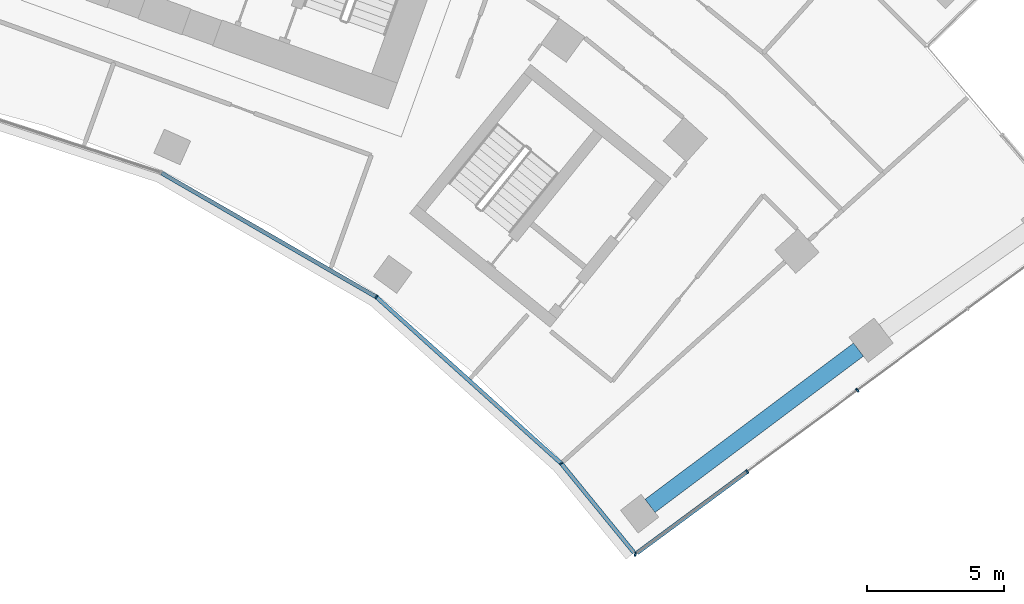
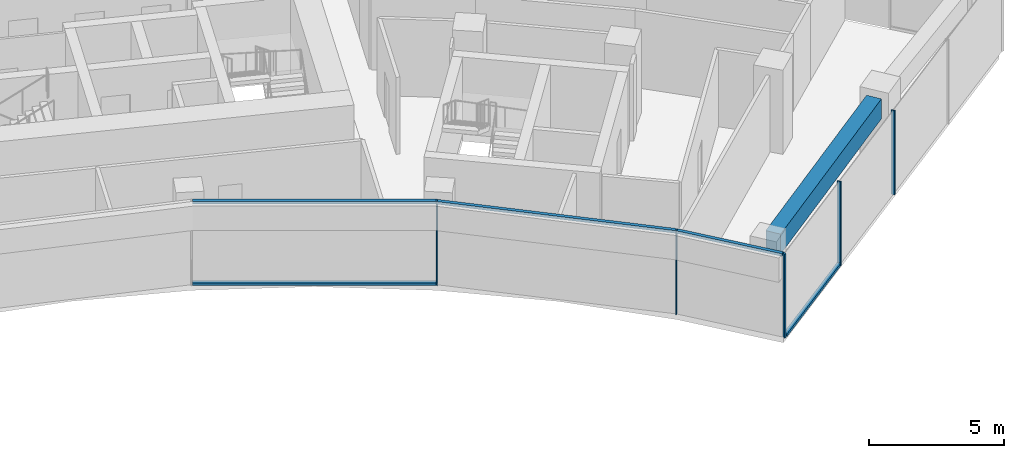
# One storey, part 8 of 19: 10 members, 1 beam, 2 elements without a shape of their own.
"""IFC4 building model written with IfcOpenShell, lengths in metres."""

from ifc_helpers import new_model, si_unit, direction, frame, origin, origin_2d, place, context, subcontext, project, spatial, rectangle, extrude, material, layer, layer_set, material_profile, profile_set, type_object, element, aggregate, save


model = new_model("IFC4")

# Units and contexts
model_context = context("Model", 3, precision=1e-05, world=origin(), true_north=direction((0.0, 1.0)))
body_context = subcontext(model_context, "Body", "Model", "MODEL_VIEW")
ifc_project = project(units=[si_unit("LENGTHUNIT", "METRE"), si_unit("AREAUNIT", "SQUARE_METRE"), si_unit("VOLUMEUNIT", "CUBIC_METRE"), si_unit("PLANEANGLEUNIT", "RADIAN"), si_unit("MASSUNIT", "GRAM", prefix="KILO")], contexts=[model_context])

# Site, building, storey
site_placement = place(None, origin())
site = spatial("IfcSite", under=ifc_project, at=site_placement, CompositionType="ELEMENT")
building_placement = place(site_placement, origin())
building = spatial("IfcBuilding", under=site, at=building_placement, Name="Stone Belt Terrace Tower", CompositionType="ELEMENT")
storey_placement = place(building_placement, frame((0.0, 0.0, 223.800048828125)))
storey = spatial("IfcBuildingStorey", under=building, at=storey_placement, Name="L54", CompositionType="ELEMENT", Elevation=223.800048828125)

# Curtain wall, members
ifc_material_1 = material(Name="Aluminium 6063-T6 anodised frame", Category="aluminium")
ifc_layer_1 = layer(ifc_material_1, 0.14990234375)
ifc_layer_set_1 = layer_set([ifc_layer_1], Name="CW-B unitised concave-face curtain wall")
curtain_wall_type_1 = type_object("IfcCurtainWallType", Name="CW-B unitised concave-face curtain wall", PredefinedType="NOTDEFINED", material=ifc_layer_set_1)
curtain_wall_1_placement = place(storey_placement, origin())
curtain_wall_1 = element("IfcCurtainWall", 1, at=curtain_wall_1_placement, inside=storey, type_object=curtain_wall_type_1, Name="CW-B concave face L54", PredefinedType="NOTDEFINED")
ifc_material_profile_1 = material_profile(ifc_material_1, rectangle(XDim=0.14990234375, YDim=0.050048828125, at=origin_2d()), Name="Aluminium 6063-T6 50x150")
ifc_profile_set_1 = profile_set([ifc_material_profile_1], Name="Aluminium 6063-T6 anodised frame")
member_type_1 = type_object("IfcMemberType", Name="CW-B mullion 50 x 150", PredefinedType="MULLION", material=ifc_profile_set_1)
member_1_placement = place(storey_placement, frame((25.5244140625, 35.13134765625, 0.0), z_axis=(0.0, 0.0, 1.0), x_axis=(0.587785252292, 0.809016994375, 0.0)))
member_1 = element("IfcMember", 2, at=member_1_placement, type_object=member_type_1, Name="CW-B mullion 8", PredefinedType="MULLION", context=body_context, shape_type="SweptSolid", body=[
    extrude(rectangle(XDim=0.14990234375, YDim=0.050048828125, at=origin_2d()), origin(), (0.0, 0.0, 1.0), 3.800048828125),
])
member_2_placement = place(storey_placement, frame((32.2724609375, 29.05517578125, 0.0), z_axis=(0.0, 0.0, 1.0), x_axis=(0.724007879695, 0.689791700544, 0.0)))
member_2 = element("IfcMember", 3, at=member_2_placement, type_object=member_type_1, Name="CW-B mullion 9", PredefinedType="MULLION", context=body_context, shape_type="SweptSolid", body=[
    extrude(rectangle(XDim=0.14990234375, YDim=0.050048828125, at=origin_2d()), origin(), (0.0, 0.0, 1.0), 3.800048828125),
])
ifc_material_profile_2 = material_profile(ifc_material_1, rectangle(XDim=0.14990234375, YDim=0.1201171875, at=origin_2d()), Name="Aluminium 6063-T6 150x120")
ifc_profile_set_2 = profile_set([ifc_material_profile_2], Name="Aluminium 6063-T6 anodised frame")
member_type_2 = type_object("IfcMemberType", Name="CW-B transom 120 x 150", PredefinedType="USERDEFINED", material=ifc_profile_set_2)
member_3_placement = place(storey_placement, frame((17.690673828125, 39.654052734375, 0.06005859375), z_axis=(0.866019133895, -0.500010859609, 0.0), x_axis=(0.500010859609, 0.866019133895, 0.0)))
member_3 = element("IfcMember", 4, at=member_3_placement, type_object=member_type_2, Name="CW-B transom 7.1", ObjectType="TRANSOM", PredefinedType="USERDEFINED", context=body_context, shape_type="SweptSolid", body=[
    extrude(rectangle(XDim=0.14990234375, YDim=0.1201171875, at=origin_2d()), origin(), (0.0, 0.0, 1.0), 9.012939453125),
])
member_4_placement = place(storey_placement, frame((17.690673828125, 39.654052734375, 3.739990234375), z_axis=(0.866019133895, -0.500010859609, 0.0), x_axis=(0.500010859609, 0.866019133895, 0.0)))
member_4 = element("IfcMember", 5, at=member_4_placement, type_object=member_type_2, Name="CW-B transom 7.2", ObjectType="TRANSOM", PredefinedType="USERDEFINED", context=body_context, shape_type="SweptSolid", body=[
    extrude(rectangle(XDim=0.14990234375, YDim=0.1201171875, at=origin_2d()), origin(), (0.0, 0.0, 1.0), 9.012939453125),
])
member_5_placement = place(storey_placement, frame((25.548583984375, 35.109375, 3.739990234375), z_axis=(0.743150073676, -0.669124777598, 0.0), x_axis=(0.669124777598, 0.743150073676, 0.0)))
member_5 = element("IfcMember", 6, at=member_5_placement, type_object=member_type_2, Name="CW-B transom 8.1", ObjectType="TRANSOM", PredefinedType="USERDEFINED", context=body_context, shape_type="SweptSolid", body=[
    extrude(rectangle(XDim=0.14990234375, YDim=0.1201171875, at=origin_2d()), origin(), (0.0, 0.0, 1.0), 9.016845703125),
])
member_6_placement = place(storey_placement, frame((32.291748046875, 29.031494140625, 3.739990234375), z_axis=(0.632390101137, -0.774650088739, 0.0), x_axis=(0.774650088739, 0.632390101137, 0.0)))
member_6 = element("IfcMember", 7, at=member_6_placement, type_object=member_type_2, Name="CW-B transom 9.1", ObjectType="TRANSOM", PredefinedType="USERDEFINED", context=body_context, shape_type="SweptSolid", body=[
    extrude(rectangle(XDim=0.14990234375, YDim=0.1201171875, at=origin_2d()), origin(), (0.0, 0.0, 1.0), 4.173583984375),
])
aggregate(curtain_wall_1, [member_1, member_2, member_3, member_4, member_5, member_6])

ifc_layer_2 = layer(ifc_material_1, 0.14990234375)
ifc_layer_set_2 = layer_set([ifc_layer_2], Name="CW-C stick curtain wall, horn ends and notches")
curtain_wall_type_2 = type_object("IfcCurtainWallType", Name="CW-C stick curtain wall, horn ends and notches", PredefinedType="NOTDEFINED", material=ifc_layer_set_2)
curtain_wall_2_placement = place(storey_placement, origin())
curtain_wall_2 = element("IfcCurtainWall", 8, at=curtain_wall_2_placement, inside=storey, type_object=curtain_wall_type_2, Name="CW-C end face L54", PredefinedType="NOTDEFINED")
ifc_material_profile_3 = material_profile(ifc_material_1, rectangle(XDim=0.14990234375, YDim=0.06005859375, at=origin_2d()), Name="Aluminium 6063-T6 60x150")
ifc_profile_set_3 = profile_set([ifc_material_profile_3], Name="Aluminium 6063-T6 anodised frame")
member_type_3 = type_object("IfcMemberType", Name="CW-C mullion 60 x 150", PredefinedType="MULLION", material=ifc_profile_set_3)
member_7_placement = place(storey_placement, frame((34.975341796875, 25.744140625, 0.0), z_axis=(0.0, 0.0, 1.0), x_axis=(0.124625557677, 0.992203845172, 0.0)))
member_7 = element("IfcMember", 9, at=member_7_placement, type_object=member_type_3, Name="CW-C mullion 1", PredefinedType="MULLION", context=body_context, shape_type="SweptSolid", body=[
    extrude(rectangle(XDim=0.14990234375, YDim=0.06005859375, at=origin_2d()), origin(), (0.0, 0.0, 1.0), 3.800048828125),
])
member_8_placement = place(storey_placement, frame((39.054443359375, 28.757568359375, 0.0), z_axis=(0.0, 0.0, 1.0), x_axis=(-0.594184091865, 0.804329077539, 0.0)))
member_8 = element("IfcMember", 10, at=member_8_placement, type_object=member_type_3, Name="CW-C mullion 2", PredefinedType="MULLION", context=body_context, shape_type="SweptSolid", body=[
    extrude(rectangle(XDim=0.14990234375, YDim=0.06005859375, at=origin_2d()), origin(), (0.0, 0.0, 1.0), 3.800048828125),
])
member_9_placement = place(storey_placement, frame((43.076171875, 31.728515625, 0.0), z_axis=(0.0, 0.0, 1.0), x_axis=(-0.594184091865, 0.804329077539, 0.0)))
member_9 = element("IfcMember", 11, at=member_9_placement, type_object=member_type_3, Name="CW-C mullion 3", PredefinedType="MULLION", context=body_context, shape_type="SweptSolid", body=[
    extrude(rectangle(XDim=0.14990234375, YDim=0.06005859375, at=origin_2d()), origin(), (0.0, 0.0, 1.0), 3.800048828125),
])
ifc_material_profile_4 = material_profile(ifc_material_1, rectangle(XDim=0.14990234375, YDim=0.1201171875, at=origin_2d()), Name="Aluminium 6063-T6 150x120")
ifc_profile_set_4 = profile_set([ifc_material_profile_4], Name="Aluminium 6063-T6 anodised frame")
member_type_4 = type_object("IfcMemberType", Name="CW-C transom 120 x 150", PredefinedType="USERDEFINED", material=ifc_profile_set_4)
member_10_placement = place(storey_placement, frame((35.034423828125, 25.787841796875, 0.06005859375), z_axis=(0.804325227642, 0.594189303319, 0.0), x_axis=(-0.594189303319, 0.804325227642, 0.0)))
member_10 = element("IfcMember", 12, at=member_10_placement, type_object=member_type_4, Name="CW-C transom 1.1", ObjectType="TRANSOM", PredefinedType="USERDEFINED", context=body_context, shape_type="SweptSolid", body=[
    extrude(rectangle(XDim=0.14990234375, YDim=0.1201171875, at=origin_2d()), origin(), (0.0, 0.0, 1.0), 4.968017578125),
])
aggregate(curtain_wall_2, [member_7, member_8, member_9, member_10])

# Beam
ifc_material_2 = material(Name="Concrete B60", Category="concrete")
ifc_material_profile_5 = material_profile(ifc_material_2, rectangle(XDim=0.60009765625, YDim=0.89990234375, at=origin_2d()), Name="RC 600x900")
ifc_profile_set_5 = profile_set([ifc_material_profile_5], Name="Concrete B60")
beam_type = type_object("IfcBeamType", Name="Edge beam RC 600x900 B60", PredefinedType="SPANDREL", material=ifc_profile_set_5)
beam_placement = place(storey_placement, frame((35.51318359375, 27.5068359375, 3.030029296875), z_axis=(0.800073960697, 0.599901373073, 0.0), x_axis=(-0.599901373073, 0.800073960697, 0.0)))
element("IfcBeam", 13, at=beam_placement, inside=storey, type_object=beam_type, Name="Edge beam L54 B P to Q", PredefinedType="SPANDREL", context=body_context, shape_type="SweptSolid", body=[
    extrude(rectangle(XDim=0.60009765625, YDim=0.89990234375, at=origin_2d()), origin(), (0.0, 0.0, 1.0), 9.505859375),
])

save(model, "model.ifc")
